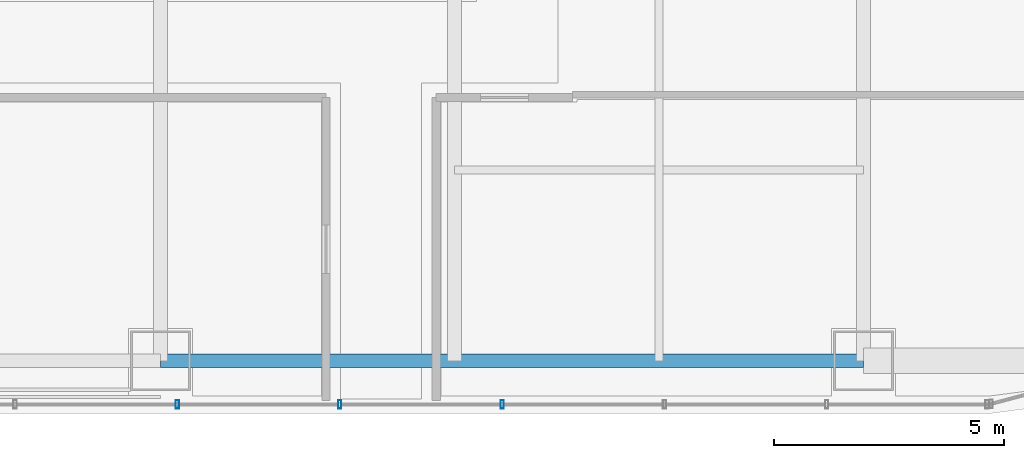
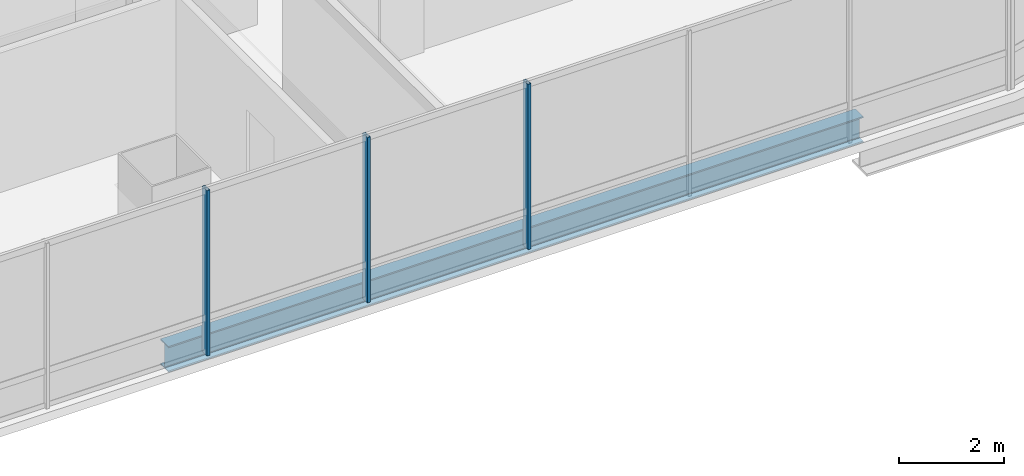
# One storey, part 8 of 42: 3 members, 1 beam, 1 element without a shape of its own.
"""IFC4 building model written with IfcOpenShell, lengths in metres."""

from ifc_helpers import new_model, si_unit, direction, frame, origin, origin_2d, place, context, subcontext, project, spatial, hollow_rectangle, i_section, extrude, material, material_profile, profile_set, type_object, element, aggregate, save


model = new_model("IFC4")

# Units and contexts
model_context = context("Model", 3, precision=1e-05, world=origin(), true_north=direction((0.0, 1.0)))
body_context = subcontext(model_context, "Body", "Model", "MODEL_VIEW")
ifc_project = project(units=[si_unit("LENGTHUNIT", "METRE"), si_unit("AREAUNIT", "SQUARE_METRE"), si_unit("VOLUMEUNIT", "CUBIC_METRE"), si_unit("PLANEANGLEUNIT", "RADIAN"), si_unit("MASSUNIT", "GRAM", prefix="KILO")], contexts=[model_context])

# Site, building, storey
site_placement = place(None, origin())
site = spatial("IfcSite", under=ifc_project, at=site_placement, CompositionType="ELEMENT")
building_placement = place(site_placement, origin())
building = spatial("IfcBuilding", under=site, at=building_placement, Name="Punatoya Terracotta Tower", CompositionType="ELEMENT")
storey_placement = place(building_placement, frame((0.0, 0.0, 259.5)))
storey = spatial("IfcBuildingStorey", under=building, at=storey_placement, Name="L61", CompositionType="ELEMENT", Elevation=259.5)

# Beam
ifc_material_1 = material(Name="Steel S355", Category="steel")
ifc_material_profile_1 = material_profile(ifc_material_1, i_section(OverallWidth=0.300048828125, OverallDepth=0.60009765625, WebThickness=0.015380859375, FlangeThickness=0.030029296875, FilletRadius=0.01806640625, at=origin_2d()))
ifc_profile_set_1 = profile_set([ifc_material_profile_1], Name="Steel S355")
beam_type = type_object("IfcBeamType", Name="BM-PRI-600", PredefinedType="BEAM", material=ifc_profile_set_1)
beam_placement = place(storey_placement, frame((3.800048828125, -17.5, -0.5), z_axis=(1.0, 0.0, 0.0), x_axis=(0.0, 1.0, 0.0)))
element("IfcBeam", 1, at=beam_placement, inside=storey, type_object=beam_type, Name="BM-L61-RG-S3", PredefinedType="BEAM", context=body_context, shape_type="SweptSolid", body=[
    extrude(i_section(OverallWidth=0.300048828125, OverallDepth=0.60009765625, WebThickness=0.015380859375, FlangeThickness=0.030029296875, FilletRadius=0.01806640625, at=origin_2d()), origin(), (0.0, 0.0, 1.0), 15.300048828125),
])

# Curtain wall, members
ifc_material_2 = material(Name="Aluminium 6063-T6 + Double Low-E Glass", Category="aluminium")
curtain_wall_type = type_object("IfcCurtainWallType", Name="CW-M3", PredefinedType="NOTDEFINED", material=ifc_material_2)
curtain_wall_placement = place(storey_placement, origin())
curtain_wall = element("IfcCurtainWall", 2, at=curtain_wall_placement, inside=storey, type_object=curtain_wall_type, Name="L61 Curtain Wall CW-L61-S01-1", PredefinedType="NOTDEFINED")
ifc_material_3 = material(Name="Aluminium 6063-T6", Category="aluminium")
ifc_material_profile_2 = material_profile(ifc_material_3, hollow_rectangle(XDim=0.070068359375, YDim=0.179931640625, WallThickness=0.00390625, at=origin_2d()))
ifc_profile_set_2 = profile_set([ifc_material_profile_2], Name="Aluminium 6063-T6")
member_type = type_object("IfcMemberType", Name="CW-MUL-M3", PredefinedType="MULLION", material=ifc_profile_set_2)
member_1_placement = place(storey_placement, frame((4.1669921875, -18.449951171875, 0.0), z_axis=(0.0, 0.0, 1.0), x_axis=(1.0, 0.0, 0.0)))
member_1 = element("IfcMember", 3, at=member_1_placement, type_object=member_type, Name="CW-L61-S01-1 Mullion 06", PredefinedType="MULLION", context=body_context, shape_type="SweptSolid", body=[
    extrude(hollow_rectangle(XDim=0.070068359375, YDim=0.179931640625, WallThickness=0.00390625, at=origin_2d()), origin(), (0.0, 0.0, 1.0), 3.85009765625),
])
member_2_placement = place(storey_placement, frame((7.700927734375, -18.449951171875, 0.0), z_axis=(0.0, 0.0, 1.0), x_axis=(1.0, 0.0, 0.0)))
member_2 = element("IfcMember", 4, at=member_2_placement, type_object=member_type, Name="CW-L61-S01-1 Mullion 07", PredefinedType="MULLION", context=body_context, shape_type="SweptSolid", body=[
    extrude(hollow_rectangle(XDim=0.070068359375, YDim=0.179931640625, WallThickness=0.00390625, at=origin_2d()), origin(), (0.0, 0.0, 1.0), 3.85009765625),
])
member_3_placement = place(storey_placement, frame((11.235107421875, -18.449951171875, 0.0), z_axis=(0.0, 0.0, 1.0), x_axis=(1.0, 0.0, 0.0)))
member_3 = element("IfcMember", 5, at=member_3_placement, type_object=member_type, Name="CW-L61-S01-1 Mullion 08", PredefinedType="MULLION", context=body_context, shape_type="SweptSolid", body=[
    extrude(hollow_rectangle(XDim=0.070068359375, YDim=0.179931640625, WallThickness=0.00390625, at=origin_2d()), origin(), (0.0, 0.0, 1.0), 3.85009765625),
])
aggregate(curtain_wall, [member_1, member_2, member_3])

save(model, "model.ifc")
